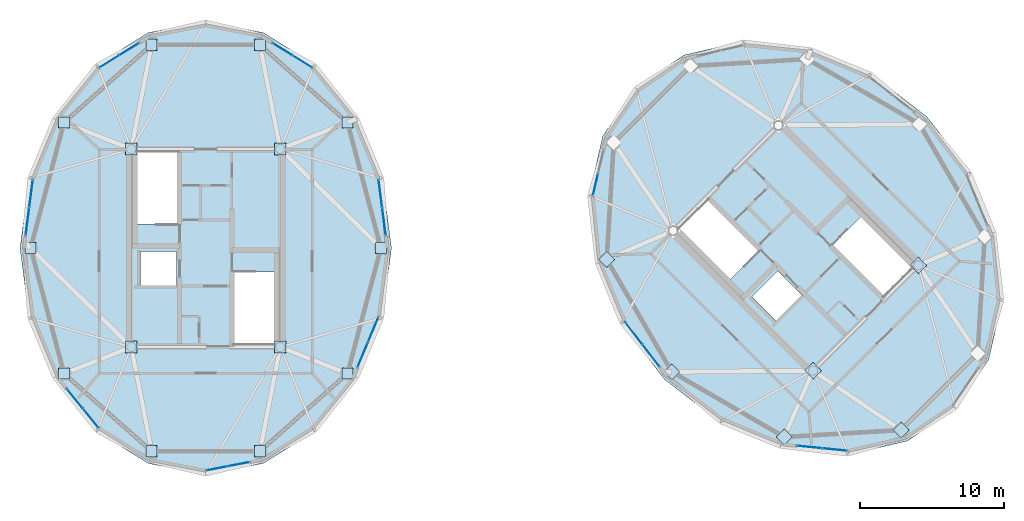
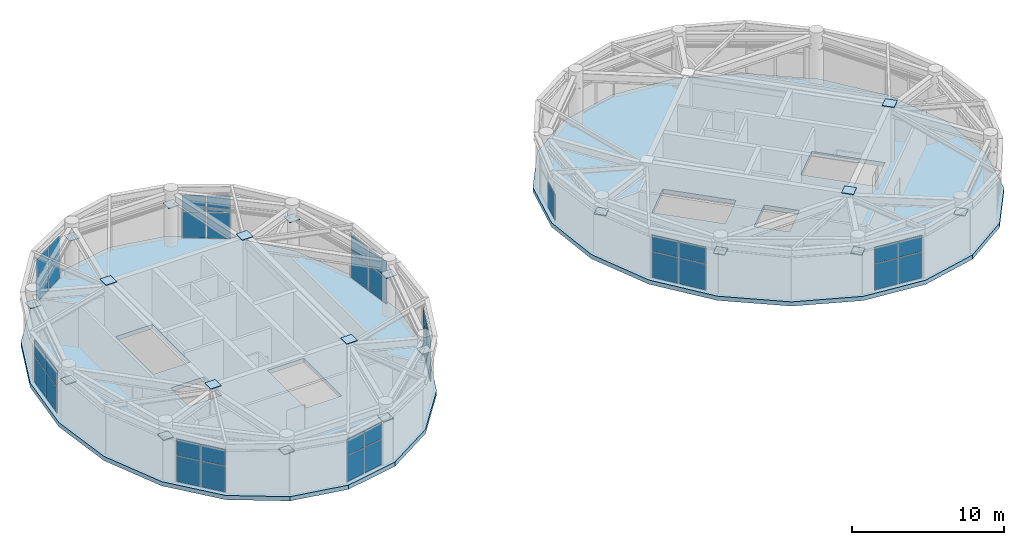
# One storey, part 21 of 26: 57 plates, 2 slabs, 10 elements without a shape of their own.
"""IFC4 building model written with IfcOpenShell, lengths in metres."""

from ifc_helpers import new_model, si_unit, direction, frame, origin, origin_2d, place, context, subcontext, project, spatial, polyline, rectangle, outline, extrude, source, transform, mapped, material, layer, layer_set, type_object, element, aggregate, save


model = new_model("IFC4")

# Units and contexts
model_context = context("Model", 3, precision=1e-05, world=origin(), true_north=direction((0.0, 1.0)))
body_context = subcontext(model_context, "Body", "Model", "MODEL_VIEW")
ifc_project = project(units=[si_unit("LENGTHUNIT", "METRE"), si_unit("AREAUNIT", "SQUARE_METRE"), si_unit("VOLUMEUNIT", "CUBIC_METRE"), si_unit("PLANEANGLEUNIT", "RADIAN"), si_unit("MASSUNIT", "GRAM", prefix="KILO")], contexts=[model_context])

# Site, building, storey
site_placement = place(None, origin())
site = spatial("IfcSite", under=ifc_project, at=site_placement, CompositionType="ELEMENT")
building_placement = place(site_placement, origin())
building = spatial("IfcBuilding", under=site, at=building_placement, Name="Cununo Teusaquillo Station Towers", CompositionType="ELEMENT")
storey_placement = place(building_placement, frame((0.0, 0.0, 240.330078125)))
storey = spatial("IfcBuildingStorey", under=building, at=storey_placement, Name="L76", CompositionType="ELEMENT", Elevation=240.330078125)

# Slabs
ifc_material_1 = material(Name="Concrete C50/60", Category="concrete")
ifc_layer_1 = layer(ifc_material_1, 0.340087890625)
ifc_layer_set_1 = layer_set([ifc_layer_1], Name="Concrete C50/60")
slab_type = type_object("IfcSlabType", Name="SLB-B01-340", PredefinedType="FLOOR", material=ifc_layer_set_1)
slab_1_placement = place(storey_placement, frame((0.0, 0.0, -0.340087890625)))
element("IfcSlab", 1, at=slab_1_placement, inside=storey, type_object=slab_type, Name="L76 Tower A Floor Slab", PredefinedType="FLOOR", context=body_context, shape_type="SweptSolid", body=[
    extrude(outline(polyline([(29.409912109375, 24.5), (28.778076171875, 29.366943359375), (26.9443359375, 33.757568359375), (24.08837890625, 37.241943359375), (20.489501953125, 39.47900390625), (16.5, 40.25), (12.510498046875, 39.47900390625), (8.91162109375, 37.241943359375), (6.0556640625, 33.757568359375), (4.221923828125, 29.366943359375), (3.590087890625, 24.5), (4.221923828125, 19.633056640625), (6.0556640625, 15.242431640625), (8.91162109375, 11.758056640625), (12.510498046875, 9.52099609375), (16.5, 8.75), (20.489501953125, 9.52099609375), (24.08837890625, 11.758056640625), (26.9443359375, 15.242431640625), (28.778076171875, 19.633056640625), (29.409912109375, 24.5)]), holes=[polyline([(14.52001953125, 26.176025390625), (14.52001953125, 31.159912109375), (11.760009765625, 31.159912109375), (11.760009765625, 26.176025390625), (14.52001953125, 26.176025390625)]), polyline([(18.47998046875, 22.823974609375), (18.47998046875, 17.840087890625), (21.239990234375, 17.840087890625), (21.239990234375, 22.823974609375), (18.47998046875, 22.823974609375)]), polyline([(11.949951171875, 21.85009765625), (14.47998046875, 21.85009765625), (14.47998046875, 24.25), (11.949951171875, 24.25), (11.949951171875, 21.85009765625)])]), origin(), (0.0, 0.0, 1.0), 0.340087890625),
])
slab_2_placement = place(storey_placement, frame((0.0, 0.0, -0.340087890625)))
element("IfcSlab", 2, at=slab_2_placement, inside=storey, type_object=slab_type, Name="L76 Tower B Floor Slab", PredefinedType="FLOOR", context=body_context, shape_type="SweptSolid", body=[
    extrude(outline(polyline([(66.628662109375, 33.628662109375), (62.740478515625, 36.623291015625), (58.339111328125, 38.431396484375), (53.855712890625, 38.875732421875), (49.72900390625, 37.912841796875), (46.363037109375, 35.636962890625), (44.087158203125, 32.27099609375), (43.124267578125, 28.144287109375), (43.568603515625, 23.660888671875), (45.376708984375, 19.259521484375), (48.371337890625, 15.371337890625), (52.259521484375, 12.376708984375), (56.660888671875, 10.568603515625), (61.144287109375, 10.124267578125), (65.27099609375, 11.087158203125), (68.636962890625, 13.363037109375), (70.912841796875, 16.72900390625), (71.875732421875, 20.855712890625), (71.431396484375, 25.339111328125), (69.623291015625, 29.740478515625), (66.628662109375, 33.628662109375)]), holes=[polyline([(54.914794921875, 24.28515625), (51.390625, 27.809326171875), (49.43896484375, 25.857666015625), (52.963134765625, 22.33349609375), (54.914794921875, 24.28515625)]), polyline([(60.085205078125, 24.71484375), (63.609375, 21.190673828125), (65.56103515625, 23.142333984375), (62.036865234375, 26.66650390625), (60.085205078125, 24.71484375)]), polyline([(56.156494140625, 19.40869140625), (57.945556640625, 21.19775390625), (56.248291015625, 22.89501953125), (54.45947265625, 21.10595703125), (56.156494140625, 19.40869140625)])]), origin(), (0.0, 0.0, 1.0), 0.340087890625),
])

# Plates
ifc_material_2 = material(Name="Steel ASTM A572 Grade 50", Category="steel")
ifc_layer_2 = layer(ifc_material_2, 0.0400390625)
ifc_layer_set_2 = layer_set([ifc_layer_2], Name="Steel ASTM A572 Grade 50")
plate_type_1 = type_object("IfcPlateType", Name="PLT-NODE-CRN1", PredefinedType="USERDEFINED", material=ifc_layer_set_2)
shared_shape_1 = source(origin(), body_context, "Body", "SweptSolid", [
    extrude(rectangle(XDim=0.820068359375, YDim=0.820068359375, at=origin_2d()), origin(), (0.0, 0.0, 1.0), 0.0400390625),
])
for number, where, z_axis, x_axis, name in (
    (3, (11.324951171875, 17.6201171875, 4.5), (0.0, 0.0, 1.0), (1.0, 0.0, 0.0), "L76 Tower A Core Column Sealed Cap Plate 1"),
    (4, (11.324951171875, 31.3798828125, 4.5), (0.0, 0.0, 1.0), (1.0, 0.0, 0.0), "L76 Tower A Core Column Sealed Cap Plate 2"),
    (5, (21.675048828125, 17.6201171875, 4.5), (0.0, 0.0, 1.0), (1.0, 0.0, 0.0), "L76 Tower A Core Column Sealed Cap Plate 3"),
    (6, (21.675048828125, 31.3798828125, 4.5), (0.0, 0.0, 1.0), (1.0, 0.0, 0.0), "L76 Tower A Core Column Sealed Cap Plate 4"),
    (7, (58.70556640625, 15.975830078125, 4.5), (0.0, 0.0, 1.0), (0.707106781187, 0.707106781187, 0.0), "L76 Tower B Core Column Sealed Cap Plate 1"),
    (8, (66.024169921875, 23.29443359375, 4.5), (0.0, 0.0, 1.0), (0.707106781187, 0.707106781187, 0.0), "L76 Tower B Core Column Sealed Cap Plate 3"),
):
    element("IfcPlate", number, at=place(storey_placement, frame(where, z_axis=z_axis, x_axis=x_axis)), inside=storey, type_object=plate_type_1, Name=name, ObjectType="GUSSET PLATE", PredefinedType="USERDEFINED", context=body_context, shape_type="MappedRepresentation", body=[
        mapped(shared_shape_1, transform((0.0, 0.0, 0.0), x_axis=(1.0, 0.0, 0.0), y_axis=(0.0, 1.0, 0.0), z_axis=(0.0, 0.0, 1.0), scale=1.0)),
    ])
shared_shape_2 = source(origin(), body_context, "Body", "SweptSolid", [
    extrude(rectangle(XDim=0.780029296875, YDim=0.780029296875, at=origin_2d()), origin(), (0.0, 0.0, 1.0), 0.0400390625),
])
for number, where, z_axis, x_axis, name in (
    (9, (28.672119140625, 24.5, 3.1298828125), (0.0, 0.0, 1.0), (1.0, 0.0, 0.0), "L76 Tower A Crown Drum Node CRN1 01"),
    (10, (26.347412109375, 33.228515625, 3.1298828125), (0.0, 0.0, 1.0), (1.0, 0.0, 0.0), "L76 Tower A Crown Drum Node CRN1 02"),
    (11, (20.261474609375, 38.623291015625, 3.1298828125), (0.0, 0.0, 1.0), (1.0, 0.0, 0.0), "L76 Tower A Crown Drum Node CRN1 03"),
    (12, (12.738525390625, 38.623291015625, 3.1298828125), (0.0, 0.0, 1.0), (1.0, 0.0, 0.0), "L76 Tower A Crown Drum Node CRN1 04"),
    (13, (6.652587890625, 33.228515625, 3.1298828125), (0.0, 0.0, 1.0), (1.0, 0.0, 0.0), "L76 Tower A Crown Drum Node CRN1 05"),
    (14, (4.327880859375, 24.5, 3.1298828125), (0.0, 0.0, 1.0), (1.0, 0.0, 0.0), "L76 Tower A Crown Drum Node CRN1 06"),
    (15, (6.652587890625, 15.771484375, 3.1298828125), (0.0, 0.0, 1.0), (1.0, 0.0, 0.0), "L76 Tower A Crown Drum Node CRN1 07"),
    (16, (12.738525390625, 10.376708984375, 3.1298828125), (0.0, 0.0, 1.0), (1.0, 0.0, 0.0), "L76 Tower A Crown Drum Node CRN1 08"),
    (17, (20.261474609375, 10.376708984375, 3.1298828125), (0.0, 0.0, 1.0), (1.0, 0.0, 0.0), "L76 Tower A Crown Drum Node CRN1 09"),
    (18, (26.347412109375, 15.771484375, 3.1298828125), (0.0, 0.0, 1.0), (1.0, 0.0, 0.0), "L76 Tower A Crown Drum Node CRN1 10"),
    (19, (44.36474609375, 23.708984375, 3.1298828125), (0.0, 0.0, 1.0), (0.707106781187, 0.707106781187, 0.0), "L76 Tower B Crown Drum Node CRN1 05"),
    (20, (48.89306640625, 15.89306640625, 3.1298828125), (0.0, 0.0, 1.0), (0.707106781187, 0.707106781187, 0.0), "L76 Tower B Crown Drum Node CRN1 06"),
    (21, (56.708984375, 11.36474609375, 3.1298828125), (0.0, 0.0, 1.0), (0.707106781187, 0.707106781187, 0.0), "L76 Tower B Crown Drum Node CRN1 07"),
    (22, (64.826904296875, 11.853759765625, 3.1298828125), (0.0, 0.0, 1.0), (0.707106781187, 0.707106781187, 0.0), "L76 Tower B Crown Drum Node CRN1 08"),
):
    element("IfcPlate", number, at=place(storey_placement, frame(where, z_axis=z_axis, x_axis=x_axis)), inside=storey, type_object=plate_type_1, Name=name, ObjectType="GUSSET PLATE", PredefinedType="USERDEFINED", context=body_context, shape_type="MappedRepresentation", body=[
        mapped(shared_shape_2, transform((0.0, 0.0, 0.0), x_axis=(1.0, 0.0, 0.0), y_axis=(0.0, 1.0, 0.0), z_axis=(0.0, 0.0, 1.0), scale=1.0)),
    ])

# Curtain wall, plates
ifc_material_3 = material(Name="Ceramic-fritted dark low-E double glazing", Category="glass")
ifc_layer_3 = layer(ifc_material_3, 0.179931640625)
ifc_layer_set_3 = layer_set([ifc_layer_3], Name="Ceramic-fritted dark low-E double glazing")
curtain_wall_type = type_object("IfcCurtainWallType", Name="CW-SYS-08", PredefinedType="USERDEFINED", material=ifc_layer_set_3)
curtain_wall_1_placement = place(storey_placement, origin())
curtain_wall_1 = element("IfcCurtainWall", 23, at=curtain_wall_1_placement, inside=storey, type_object=curtain_wall_type, Name="L76 Tower A Crown Drum Glazed Screen C00", ObjectType="FRITTED GLAZING", PredefinedType="USERDEFINED")
ifc_material_4 = material(Name="Ceramic-fritted dark low-E double glazing", Category="glass")
ifc_layer_4 = layer(ifc_material_4, 0.030029296875)
ifc_layer_set_4 = layer_set([ifc_layer_4], Name="Ceramic-fritted dark low-E double glazing")
plate_type_2 = type_object("IfcPlateType", Name="CWP-DRUM-30", PredefinedType="CURTAIN_PANEL", material=ifc_layer_set_4)
shared_shape_3 = source(origin(), body_context, "Body", "SweptSolid", [
    extrude(rectangle(XDim=1.8876953125, YDim=0.030029296875, at=origin_2d()), origin(), (0.0, 0.0, 1.0), 2.052490234375),
])
plate_1_placement = place(storey_placement, frame((28.64111328125, 28.280029296875, 0.06494140625), z_axis=(0.0, 0.0, 1.0), x_axis=(0.12825264413, -0.991741528461, 0.0)))
plate_1 = element("IfcPlate", 24, at=plate_1_placement, type_object=plate_type_2, Name="CW-08 panel 1.1", PredefinedType="CURTAIN_PANEL", context=body_context, shape_type="MappedRepresentation", body=[
    mapped(shared_shape_3, transform((0.0, 0.0, 0.0), x_axis=(1.0, 0.0, 0.0), y_axis=(0.0, 1.0, 0.0), z_axis=(0.0, 0.0, 1.0), scale=1.0)),
])
plate_2_placement = place(storey_placement, frame((28.8916015625, 26.343505859375, 0.06494140625), z_axis=(0.0, 0.0, 1.0), x_axis=(0.12825264413, -0.991741528461, 0.0)))
plate_2 = element("IfcPlate", 25, at=plate_2_placement, type_object=plate_type_2, Name="CW-08 panel 2.1", PredefinedType="CURTAIN_PANEL", context=body_context, shape_type="MappedRepresentation", body=[
    mapped(shared_shape_3, transform((0.0, 0.0, 0.0), x_axis=(1.0, 0.0, 0.0), y_axis=(0.0, 1.0, 0.0), z_axis=(0.0, 0.0, 1.0), scale=1.0)),
])

curtain_wall_2_placement = place(storey_placement, origin())
curtain_wall_2 = element("IfcCurtainWall", 26, at=curtain_wall_2_placement, inside=storey, type_object=curtain_wall_type, Name="L76 Tower A Crown Drum Glazed Screen C09", ObjectType="FRITTED GLAZING", PredefinedType="USERDEFINED")
plate_3_placement = place(storey_placement, frame((4.1083984375, 26.343505859375, 0.06494140625), z_axis=(0.0, 0.0, 1.0), x_axis=(0.12825264413, 0.991741528461, 0.0)))
plate_3 = element("IfcPlate", 27, at=plate_3_placement, type_object=plate_type_2, Name="CW-08 panel 1.1", PredefinedType="CURTAIN_PANEL", context=body_context, shape_type="MappedRepresentation", body=[
    mapped(shared_shape_3, transform((0.0, 0.0, 0.0), x_axis=(1.0, 0.0, 0.0), y_axis=(0.0, 1.0, 0.0), z_axis=(0.0, 0.0, 1.0), scale=1.0)),
])
plate_4_placement = place(storey_placement, frame((4.35888671875, 28.280029296875, 0.06494140625), z_axis=(0.0, 0.0, 1.0), x_axis=(0.12825264413, 0.991741528461, 0.0)))
plate_4 = element("IfcPlate", 28, at=plate_4_placement, type_object=plate_type_2, Name="CW-08 panel 2.1", PredefinedType="CURTAIN_PANEL", context=body_context, shape_type="MappedRepresentation", body=[
    mapped(shared_shape_3, transform((0.0, 0.0, 0.0), x_axis=(1.0, 0.0, 0.0), y_axis=(0.0, 1.0, 0.0), z_axis=(0.0, 0.0, 1.0), scale=1.0)),
])

curtain_wall_3_placement = place(storey_placement, origin())
curtain_wall_3 = element("IfcCurtainWall", 29, at=curtain_wall_3_placement, inside=storey, type_object=curtain_wall_type, Name="L76 Tower B Crown Drum Glazed Screen C09", ObjectType="FRITTED GLAZING", PredefinedType="USERDEFINED")
plate_5_placement = place(storey_placement, frame((47.434326171875, 17.041259765625, 0.06494140625), z_axis=(0.0, 0.0, 1.0), x_axis=(-0.610566119397, 0.791965285757, 0.0)))
plate_5 = element("IfcPlate", 30, at=plate_5_placement, type_object=plate_type_2, Name="CW-08 panel 1.1", PredefinedType="CURTAIN_PANEL", context=body_context, shape_type="MappedRepresentation", body=[
    mapped(shared_shape_3, transform((0.0, 0.0, 0.0), x_axis=(1.0, 0.0, 0.0), y_axis=(0.0, 1.0, 0.0), z_axis=(0.0, 0.0, 1.0), scale=1.0)),
])
plate_6_placement = place(storey_placement, frame((46.241943359375, 18.587646484375, 0.06494140625), z_axis=(0.0, 0.0, 1.0), x_axis=(-0.610566119397, 0.791965285757, 0.0)))
plate_6 = element("IfcPlate", 31, at=plate_6_placement, type_object=plate_type_2, Name="CW-08 panel 2.1", PredefinedType="CURTAIN_PANEL", context=body_context, shape_type="MappedRepresentation", body=[
    mapped(shared_shape_3, transform((0.0, 0.0, 0.0), x_axis=(1.0, 0.0, 0.0), y_axis=(0.0, 1.0, 0.0), z_axis=(0.0, 0.0, 1.0), scale=1.0)),
])

curtain_wall_4_placement = place(storey_placement, origin())
curtain_wall_4 = element("IfcCurtainWall", 32, at=curtain_wall_4_placement, inside=storey, type_object=curtain_wall_type, Name="L76 Tower A Crown Drum Glazed Screen C03", ObjectType="FRITTED GLAZING", PredefinedType="USERDEFINED")
shared_shape_4 = source(origin(), body_context, "Body", "SweptSolid", [
    extrude(rectangle(XDim=1.552490234375, YDim=0.030029296875, at=origin_2d()), origin(), (0.0, 0.0, 1.0), 2.052490234375),
])
plate_7_placement = place(storey_placement, frame((21.837646484375, 38.3173828125, 0.06494140625), z_axis=(0.0, 0.0, 1.0), x_axis=(0.848340291551, -0.529451366729, 0.0)))
plate_7 = element("IfcPlate", 33, at=plate_7_placement, type_object=plate_type_2, Name="CW-08 panel 1.1", PredefinedType="CURTAIN_PANEL", context=body_context, shape_type="MappedRepresentation", body=[
    mapped(shared_shape_4, transform((0.0, 0.0, 0.0), x_axis=(1.0, 0.0, 0.0), y_axis=(0.0, 1.0, 0.0), z_axis=(0.0, 0.0, 1.0), scale=1.0)),
])
plate_8_placement = place(storey_placement, frame((23.2099609375, 37.4609375, 0.06494140625), z_axis=(0.0, 0.0, 1.0), x_axis=(0.848340291551, -0.529451366729, 0.0)))
plate_8 = element("IfcPlate", 34, at=plate_8_placement, type_object=plate_type_2, Name="CW-08 panel 2.1", PredefinedType="CURTAIN_PANEL", context=body_context, shape_type="MappedRepresentation", body=[
    mapped(shared_shape_4, transform((0.0, 0.0, 0.0), x_axis=(1.0, 0.0, 0.0), y_axis=(0.0, 1.0, 0.0), z_axis=(0.0, 0.0, 1.0), scale=1.0)),
])

curtain_wall_5_placement = place(storey_placement, origin())
curtain_wall_5 = element("IfcCurtainWall", 35, at=curtain_wall_5_placement, inside=storey, type_object=curtain_wall_type, Name="L76 Tower A Crown Drum Glazed Screen C06", ObjectType="FRITTED GLAZING", PredefinedType="USERDEFINED")
plate_9_placement = place(storey_placement, frame((9.7900390625, 37.4609375, 0.06494140625), z_axis=(0.0, 0.0, 1.0), x_axis=(0.848340291551, 0.529451366729, 0.0)))
plate_9 = element("IfcPlate", 36, at=plate_9_placement, type_object=plate_type_2, Name="CW-08 panel 1.1", PredefinedType="CURTAIN_PANEL", context=body_context, shape_type="MappedRepresentation", body=[
    mapped(shared_shape_4, transform((0.0, 0.0, 0.0), x_axis=(1.0, 0.0, 0.0), y_axis=(0.0, 1.0, 0.0), z_axis=(0.0, 0.0, 1.0), scale=1.0)),
])
plate_10_placement = place(storey_placement, frame((11.162353515625, 38.3173828125, 0.06494140625), z_axis=(0.0, 0.0, 1.0), x_axis=(0.848340291551, 0.529451366729, 0.0)))
plate_10 = element("IfcPlate", 37, at=plate_10_placement, type_object=plate_type_2, Name="CW-08 panel 2.1", PredefinedType="CURTAIN_PANEL", context=body_context, shape_type="MappedRepresentation", body=[
    mapped(shared_shape_4, transform((0.0, 0.0, 0.0), x_axis=(1.0, 0.0, 0.0), y_axis=(0.0, 1.0, 0.0), z_axis=(0.0, 0.0, 1.0), scale=1.0)),
])

curtain_wall_6_placement = place(storey_placement, origin())
curtain_wall_6 = element("IfcCurtainWall", 38, at=curtain_wall_6_placement, inside=storey, type_object=curtain_wall_type, Name="L76 Tower A Crown Drum Glazed Screen C12", ObjectType="FRITTED GLAZING", PredefinedType="USERDEFINED")
shared_shape_5 = source(origin(), body_context, "Body", "SweptSolid", [
    extrude(rectangle(XDim=1.6865234375, YDim=0.030029296875, at=origin_2d()), origin(), (0.0, 0.0, 1.0), 2.052490234375),
])
plate_11_placement = place(storey_placement, frame((8.501953125, 12.688232421875, 0.06494140625), z_axis=(0.0, 0.0, 1.0), x_axis=(-0.632408751913, 0.774634862696, 0.0)))
plate_11 = element("IfcPlate", 39, at=plate_11_placement, type_object=plate_type_2, Name="CW-08 panel 1.1", PredefinedType="CURTAIN_PANEL", context=body_context, shape_type="MappedRepresentation", body=[
    mapped(shared_shape_5, transform((0.0, 0.0, 0.0), x_axis=(1.0, 0.0, 0.0), y_axis=(0.0, 1.0, 0.0), z_axis=(0.0, 0.0, 1.0), scale=1.0)),
])
plate_12_placement = place(storey_placement, frame((7.39404296875, 14.044921875, 0.06494140625), z_axis=(0.0, 0.0, 1.0), x_axis=(-0.632408751913, 0.774634862696, 0.0)))
plate_12 = element("IfcPlate", 40, at=plate_12_placement, type_object=plate_type_2, Name="CW-08 panel 2.1", PredefinedType="CURTAIN_PANEL", context=body_context, shape_type="MappedRepresentation", body=[
    mapped(shared_shape_5, transform((0.0, 0.0, 0.0), x_axis=(1.0, 0.0, 0.0), y_axis=(0.0, 1.0, 0.0), z_axis=(0.0, 0.0, 1.0), scale=1.0)),
])

curtain_wall_7_placement = place(storey_placement, origin())
curtain_wall_7 = element("IfcCurtainWall", 41, at=curtain_wall_7_placement, inside=storey, type_object=curtain_wall_type, Name="L76 Tower B Crown Drum Glazed Screen C12", ObjectType="FRITTED GLAZING", PredefinedType="USERDEFINED")
plate_13_placement = place(storey_placement, frame((60.19677734375, 10.4921875, 0.06494140625), z_axis=(0.0, 0.0, 1.0), x_axis=(-0.994934273111, 0.1005275693, 0.0)))
plate_13 = element("IfcPlate", 42, at=plate_13_placement, type_object=plate_type_2, Name="CW-08 panel 1.1", PredefinedType="CURTAIN_PANEL", context=body_context, shape_type="MappedRepresentation", body=[
    mapped(shared_shape_5, transform((0.0, 0.0, 0.0), x_axis=(1.0, 0.0, 0.0), y_axis=(0.0, 1.0, 0.0), z_axis=(0.0, 0.0, 1.0), scale=1.0)),
])
plate_14_placement = place(storey_placement, frame((58.4541015625, 10.668212890625, 0.06494140625), z_axis=(0.0, 0.0, 1.0), x_axis=(-0.994934273111, 0.1005275693, 0.0)))
plate_14 = element("IfcPlate", 43, at=plate_14_placement, type_object=plate_type_2, Name="CW-08 panel 2.1", PredefinedType="CURTAIN_PANEL", context=body_context, shape_type="MappedRepresentation", body=[
    mapped(shared_shape_5, transform((0.0, 0.0, 0.0), x_axis=(1.0, 0.0, 0.0), y_axis=(0.0, 1.0, 0.0), z_axis=(0.0, 0.0, 1.0), scale=1.0)),
])

curtain_wall_8_placement = place(storey_placement, origin())
curtain_wall_8 = element("IfcCurtainWall", 44, at=curtain_wall_8_placement, inside=storey, type_object=curtain_wall_type, Name="L76 Tower A Crown Drum Glazed Screen C15", ObjectType="FRITTED GLAZING", PredefinedType="USERDEFINED")
shared_shape_6 = source(origin(), body_context, "Body", "SweptSolid", [
    extrude(rectangle(XDim=1.46533203125, YDim=0.030029296875, at=origin_2d()), origin(), (0.0, 0.0, 1.0), 2.052490234375),
])
plate_15_placement = place(storey_placement, frame((18.785400390625, 9.473388671875, 0.06494140625), z_axis=(0.0, 0.0, 1.0), x_axis=(-0.981696388936, -0.190452618648, 0.0)))
plate_15 = element("IfcPlate", 45, at=plate_15_placement, type_object=plate_type_2, Name="CW-08 panel 1.1", PredefinedType="CURTAIN_PANEL", context=body_context, shape_type="MappedRepresentation", body=[
    mapped(shared_shape_6, transform((0.0, 0.0, 0.0), x_axis=(1.0, 0.0, 0.0), y_axis=(0.0, 1.0, 0.0), z_axis=(0.0, 0.0, 1.0), scale=1.0)),
])
plate_16_placement = place(storey_placement, frame((17.282958984375, 9.181884765625, 0.06494140625), z_axis=(0.0, 0.0, 1.0), x_axis=(-0.981696388936, -0.190452618648, 0.0)))
plate_16 = element("IfcPlate", 46, at=plate_16_placement, type_object=plate_type_2, Name="CW-08 panel 2.1", PredefinedType="CURTAIN_PANEL", context=body_context, shape_type="MappedRepresentation", body=[
    mapped(shared_shape_6, transform((0.0, 0.0, 0.0), x_axis=(1.0, 0.0, 0.0), y_axis=(0.0, 1.0, 0.0), z_axis=(0.0, 0.0, 1.0), scale=1.0)),
])

curtain_wall_9_placement = place(storey_placement, origin())
curtain_wall_9 = element("IfcCurtainWall", 47, at=curtain_wall_9_placement, inside=storey, type_object=curtain_wall_type, Name="L76 Tower A Crown Drum Glazed Screen C18", ObjectType="FRITTED GLAZING", PredefinedType="USERDEFINED")
shared_shape_7 = source(origin(), body_context, "Body", "SweptSolid", [
    extrude(rectangle(XDim=1.812744140625, YDim=0.030029296875, at=origin_2d()), origin(), (0.0, 0.0, 1.0), 2.052490234375),
])
plate_17_placement = place(storey_placement, frame((28.138671875, 18.822509765625, 0.06494140625), z_axis=(0.0, 0.0, 1.0), x_axis=(-0.384063358729, -0.923306740191, 0.0)))
plate_17 = element("IfcPlate", 48, at=plate_17_placement, type_object=plate_type_2, Name="CW-08 panel 1.1", PredefinedType="CURTAIN_PANEL", context=body_context, shape_type="MappedRepresentation", body=[
    mapped(shared_shape_7, transform((0.0, 0.0, 0.0), x_axis=(1.0, 0.0, 0.0), y_axis=(0.0, 1.0, 0.0), z_axis=(0.0, 0.0, 1.0), scale=1.0)),
])
plate_18_placement = place(storey_placement, frame((27.41748046875, 17.088623046875, 0.06494140625), z_axis=(0.0, 0.0, 1.0), x_axis=(-0.384063358729, -0.923306740191, 0.0)))
plate_18 = element("IfcPlate", 49, at=plate_18_placement, type_object=plate_type_2, Name="CW-08 panel 2.1", PredefinedType="CURTAIN_PANEL", context=body_context, shape_type="MappedRepresentation", body=[
    mapped(shared_shape_7, transform((0.0, 0.0, 0.0), x_axis=(1.0, 0.0, 0.0), y_axis=(0.0, 1.0, 0.0), z_axis=(0.0, 0.0, 1.0), scale=1.0)),
])

# Curtain wall, plate
curtain_wall_10_placement = place(storey_placement, origin())
curtain_wall_10 = element("IfcCurtainWall", 50, at=curtain_wall_10_placement, inside=storey, type_object=curtain_wall_type, Name="L76 Tower B Crown Drum Glazed Screen C06", ObjectType="FRITTED GLAZING", PredefinedType="USERDEFINED")
shared_shape_8 = source(origin(), body_context, "Body", "SweptSolid", [
    extrude(rectangle(XDim=1.552734375, YDim=0.030029296875, at=origin_2d()), origin(), (0.0, 0.0, 1.0), 2.052490234375),
])
plate_19_placement = place(storey_placement, frame((43.590576171875, 28.920166015625, 0.06494140625), z_axis=(0.0, 0.0, 1.0), x_axis=(0.225465813065, 0.974251080132, 0.0)))
plate_19 = element("IfcPlate", 51, at=plate_19_placement, type_object=plate_type_2, Name="CW-08 panel 1.1", PredefinedType="CURTAIN_PANEL", context=body_context, shape_type="MappedRepresentation", body=[
    mapped(shared_shape_8, transform((0.0, 0.0, 0.0), x_axis=(1.0, 0.0, 0.0), y_axis=(0.0, 1.0, 0.0), z_axis=(0.0, 0.0, 1.0), scale=1.0)),
])
aggregate(curtain_wall_10, [plate_19])

# Plate
shared_shape_9 = source(origin(), body_context, "Body", "SweptSolid", [
    extrude(rectangle(XDim=1.8876953125, YDim=0.030029296875, at=origin_2d()), origin(), (0.0, 0.0, 1.0), 1.30859375),
])
plate_20_placement = place(storey_placement, frame((28.64111328125, 28.280029296875, 2.182373046875), z_axis=(0.0, 0.0, 1.0), x_axis=(0.12825264413, -0.991741528461, 0.0)))
plate_20 = element("IfcPlate", 52, at=plate_20_placement, type_object=plate_type_2, Name="CW-08 panel 1.2", PredefinedType="CURTAIN_PANEL", context=body_context, shape_type="MappedRepresentation", body=[
    mapped(shared_shape_9, transform((0.0, 0.0, 0.0), x_axis=(1.0, 0.0, 0.0), y_axis=(0.0, 1.0, 0.0), z_axis=(0.0, 0.0, 1.0), scale=1.0)),
])

plate_21_placement = place(storey_placement, frame((28.8916015625, 26.343505859375, 2.182373046875), z_axis=(0.0, 0.0, 1.0), x_axis=(0.12825264413, -0.991741528461, 0.0)))
plate_21 = element("IfcPlate", 53, at=plate_21_placement, type_object=plate_type_2, Name="CW-08 panel 2.2", PredefinedType="CURTAIN_PANEL", context=body_context, shape_type="MappedRepresentation", body=[
    mapped(shared_shape_9, transform((0.0, 0.0, 0.0), x_axis=(1.0, 0.0, 0.0), y_axis=(0.0, 1.0, 0.0), z_axis=(0.0, 0.0, 1.0), scale=1.0)),
])

aggregate(curtain_wall_1, [plate_1, plate_20, plate_2, plate_21])

plate_22_placement = place(storey_placement, frame((4.1083984375, 26.343505859375, 2.182373046875), z_axis=(0.0, 0.0, 1.0), x_axis=(0.12825264413, 0.991741528461, 0.0)))
plate_22 = element("IfcPlate", 54, at=plate_22_placement, type_object=plate_type_2, Name="CW-08 panel 1.2", PredefinedType="CURTAIN_PANEL", context=body_context, shape_type="MappedRepresentation", body=[
    mapped(shared_shape_9, transform((0.0, 0.0, 0.0), x_axis=(1.0, 0.0, 0.0), y_axis=(0.0, 1.0, 0.0), z_axis=(0.0, 0.0, 1.0), scale=1.0)),
])

plate_23_placement = place(storey_placement, frame((4.35888671875, 28.280029296875, 2.182373046875), z_axis=(0.0, 0.0, 1.0), x_axis=(0.12825264413, 0.991741528461, 0.0)))
plate_23 = element("IfcPlate", 55, at=plate_23_placement, type_object=plate_type_2, Name="CW-08 panel 2.2", PredefinedType="CURTAIN_PANEL", context=body_context, shape_type="MappedRepresentation", body=[
    mapped(shared_shape_9, transform((0.0, 0.0, 0.0), x_axis=(1.0, 0.0, 0.0), y_axis=(0.0, 1.0, 0.0), z_axis=(0.0, 0.0, 1.0), scale=1.0)),
])

aggregate(curtain_wall_2, [plate_3, plate_22, plate_4, plate_23])

plate_24_placement = place(storey_placement, frame((47.434326171875, 17.041259765625, 2.182373046875), z_axis=(0.0, 0.0, 1.0), x_axis=(-0.610566119397, 0.791965285757, 0.0)))
plate_24 = element("IfcPlate", 56, at=plate_24_placement, type_object=plate_type_2, Name="CW-08 panel 1.2", PredefinedType="CURTAIN_PANEL", context=body_context, shape_type="MappedRepresentation", body=[
    mapped(shared_shape_9, transform((0.0, 0.0, 0.0), x_axis=(1.0, 0.0, 0.0), y_axis=(0.0, 1.0, 0.0), z_axis=(0.0, 0.0, 1.0), scale=1.0)),
])

plate_25_placement = place(storey_placement, frame((46.241943359375, 18.587646484375, 2.182373046875), z_axis=(0.0, 0.0, 1.0), x_axis=(-0.610566119397, 0.791965285757, 0.0)))
plate_25 = element("IfcPlate", 57, at=plate_25_placement, type_object=plate_type_2, Name="CW-08 panel 2.2", PredefinedType="CURTAIN_PANEL", context=body_context, shape_type="MappedRepresentation", body=[
    mapped(shared_shape_9, transform((0.0, 0.0, 0.0), x_axis=(1.0, 0.0, 0.0), y_axis=(0.0, 1.0, 0.0), z_axis=(0.0, 0.0, 1.0), scale=1.0)),
])

aggregate(curtain_wall_3, [plate_5, plate_24, plate_6, plate_25])

shared_shape_10 = source(origin(), body_context, "Body", "SweptSolid", [
    extrude(rectangle(XDim=1.552490234375, YDim=0.030029296875, at=origin_2d()), origin(), (0.0, 0.0, 1.0), 1.30859375),
])
plate_26_placement = place(storey_placement, frame((21.837646484375, 38.3173828125, 2.182373046875), z_axis=(0.0, 0.0, 1.0), x_axis=(0.848340291551, -0.529451366729, 0.0)))
plate_26 = element("IfcPlate", 58, at=plate_26_placement, type_object=plate_type_2, Name="CW-08 panel 1.2", PredefinedType="CURTAIN_PANEL", context=body_context, shape_type="MappedRepresentation", body=[
    mapped(shared_shape_10, transform((0.0, 0.0, 0.0), x_axis=(1.0, 0.0, 0.0), y_axis=(0.0, 1.0, 0.0), z_axis=(0.0, 0.0, 1.0), scale=1.0)),
])

plate_27_placement = place(storey_placement, frame((23.2099609375, 37.4609375, 2.182373046875), z_axis=(0.0, 0.0, 1.0), x_axis=(0.848340291551, -0.529451366729, 0.0)))
plate_27 = element("IfcPlate", 59, at=plate_27_placement, type_object=plate_type_2, Name="CW-08 panel 2.2", PredefinedType="CURTAIN_PANEL", context=body_context, shape_type="MappedRepresentation", body=[
    mapped(shared_shape_10, transform((0.0, 0.0, 0.0), x_axis=(1.0, 0.0, 0.0), y_axis=(0.0, 1.0, 0.0), z_axis=(0.0, 0.0, 1.0), scale=1.0)),
])

aggregate(curtain_wall_4, [plate_7, plate_26, plate_8, plate_27])

plate_28_placement = place(storey_placement, frame((9.7900390625, 37.4609375, 2.182373046875), z_axis=(0.0, 0.0, 1.0), x_axis=(0.848340291551, 0.529451366729, 0.0)))
plate_28 = element("IfcPlate", 60, at=plate_28_placement, type_object=plate_type_2, Name="CW-08 panel 1.2", PredefinedType="CURTAIN_PANEL", context=body_context, shape_type="MappedRepresentation", body=[
    mapped(shared_shape_10, transform((0.0, 0.0, 0.0), x_axis=(1.0, 0.0, 0.0), y_axis=(0.0, 1.0, 0.0), z_axis=(0.0, 0.0, 1.0), scale=1.0)),
])

plate_29_placement = place(storey_placement, frame((11.162353515625, 38.3173828125, 2.182373046875), z_axis=(0.0, 0.0, 1.0), x_axis=(0.848340291551, 0.529451366729, 0.0)))
plate_29 = element("IfcPlate", 61, at=plate_29_placement, type_object=plate_type_2, Name="CW-08 panel 2.2", PredefinedType="CURTAIN_PANEL", context=body_context, shape_type="MappedRepresentation", body=[
    mapped(shared_shape_10, transform((0.0, 0.0, 0.0), x_axis=(1.0, 0.0, 0.0), y_axis=(0.0, 1.0, 0.0), z_axis=(0.0, 0.0, 1.0), scale=1.0)),
])

aggregate(curtain_wall_5, [plate_9, plate_28, plate_10, plate_29])

shared_shape_11 = source(origin(), body_context, "Body", "SweptSolid", [
    extrude(rectangle(XDim=1.6865234375, YDim=0.030029296875, at=origin_2d()), origin(), (0.0, 0.0, 1.0), 1.30859375),
])
plate_30_placement = place(storey_placement, frame((8.501953125, 12.688232421875, 2.182373046875), z_axis=(0.0, 0.0, 1.0), x_axis=(-0.632408751913, 0.774634862696, 0.0)))
plate_30 = element("IfcPlate", 62, at=plate_30_placement, type_object=plate_type_2, Name="CW-08 panel 1.2", PredefinedType="CURTAIN_PANEL", context=body_context, shape_type="MappedRepresentation", body=[
    mapped(shared_shape_11, transform((0.0, 0.0, 0.0), x_axis=(1.0, 0.0, 0.0), y_axis=(0.0, 1.0, 0.0), z_axis=(0.0, 0.0, 1.0), scale=1.0)),
])

plate_31_placement = place(storey_placement, frame((7.39404296875, 14.044921875, 2.182373046875), z_axis=(0.0, 0.0, 1.0), x_axis=(-0.632408751913, 0.774634862696, 0.0)))
plate_31 = element("IfcPlate", 63, at=plate_31_placement, type_object=plate_type_2, Name="CW-08 panel 2.2", PredefinedType="CURTAIN_PANEL", context=body_context, shape_type="MappedRepresentation", body=[
    mapped(shared_shape_11, transform((0.0, 0.0, 0.0), x_axis=(1.0, 0.0, 0.0), y_axis=(0.0, 1.0, 0.0), z_axis=(0.0, 0.0, 1.0), scale=1.0)),
])

aggregate(curtain_wall_6, [plate_11, plate_30, plate_12, plate_31])

plate_32_placement = place(storey_placement, frame((60.19677734375, 10.4921875, 2.182373046875), z_axis=(0.0, 0.0, 1.0), x_axis=(-0.994934273111, 0.1005275693, 0.0)))
plate_32 = element("IfcPlate", 64, at=plate_32_placement, type_object=plate_type_2, Name="CW-08 panel 1.2", PredefinedType="CURTAIN_PANEL", context=body_context, shape_type="MappedRepresentation", body=[
    mapped(shared_shape_11, transform((0.0, 0.0, 0.0), x_axis=(1.0, 0.0, 0.0), y_axis=(0.0, 1.0, 0.0), z_axis=(0.0, 0.0, 1.0), scale=1.0)),
])

plate_33_placement = place(storey_placement, frame((58.4541015625, 10.668212890625, 2.182373046875), z_axis=(0.0, 0.0, 1.0), x_axis=(-0.994934273111, 0.1005275693, 0.0)))
plate_33 = element("IfcPlate", 65, at=plate_33_placement, type_object=plate_type_2, Name="CW-08 panel 2.2", PredefinedType="CURTAIN_PANEL", context=body_context, shape_type="MappedRepresentation", body=[
    mapped(shared_shape_11, transform((0.0, 0.0, 0.0), x_axis=(1.0, 0.0, 0.0), y_axis=(0.0, 1.0, 0.0), z_axis=(0.0, 0.0, 1.0), scale=1.0)),
])

aggregate(curtain_wall_7, [plate_13, plate_32, plate_14, plate_33])

shared_shape_12 = source(origin(), body_context, "Body", "SweptSolid", [
    extrude(rectangle(XDim=1.46533203125, YDim=0.030029296875, at=origin_2d()), origin(), (0.0, 0.0, 1.0), 1.30859375),
])
plate_34_placement = place(storey_placement, frame((18.785400390625, 9.473388671875, 2.182373046875), z_axis=(0.0, 0.0, 1.0), x_axis=(-0.981696388936, -0.190452618648, 0.0)))
plate_34 = element("IfcPlate", 66, at=plate_34_placement, type_object=plate_type_2, Name="CW-08 panel 1.2", PredefinedType="CURTAIN_PANEL", context=body_context, shape_type="MappedRepresentation", body=[
    mapped(shared_shape_12, transform((0.0, 0.0, 0.0), x_axis=(1.0, 0.0, 0.0), y_axis=(0.0, 1.0, 0.0), z_axis=(0.0, 0.0, 1.0), scale=1.0)),
])

plate_35_placement = place(storey_placement, frame((17.282958984375, 9.181884765625, 2.182373046875), z_axis=(0.0, 0.0, 1.0), x_axis=(-0.981696388936, -0.190452618648, 0.0)))
plate_35 = element("IfcPlate", 67, at=plate_35_placement, type_object=plate_type_2, Name="CW-08 panel 2.2", PredefinedType="CURTAIN_PANEL", context=body_context, shape_type="MappedRepresentation", body=[
    mapped(shared_shape_12, transform((0.0, 0.0, 0.0), x_axis=(1.0, 0.0, 0.0), y_axis=(0.0, 1.0, 0.0), z_axis=(0.0, 0.0, 1.0), scale=1.0)),
])

aggregate(curtain_wall_8, [plate_15, plate_34, plate_16, plate_35])

shared_shape_13 = source(origin(), body_context, "Body", "SweptSolid", [
    extrude(rectangle(XDim=1.812744140625, YDim=0.030029296875, at=origin_2d()), origin(), (0.0, 0.0, 1.0), 1.30859375),
])
plate_36_placement = place(storey_placement, frame((28.138671875, 18.822509765625, 2.182373046875), z_axis=(0.0, 0.0, 1.0), x_axis=(-0.384063358729, -0.923306740191, 0.0)))
plate_36 = element("IfcPlate", 68, at=plate_36_placement, type_object=plate_type_2, Name="CW-08 panel 1.2", PredefinedType="CURTAIN_PANEL", context=body_context, shape_type="MappedRepresentation", body=[
    mapped(shared_shape_13, transform((0.0, 0.0, 0.0), x_axis=(1.0, 0.0, 0.0), y_axis=(0.0, 1.0, 0.0), z_axis=(0.0, 0.0, 1.0), scale=1.0)),
])

plate_37_placement = place(storey_placement, frame((27.41748046875, 17.088623046875, 2.182373046875), z_axis=(0.0, 0.0, 1.0), x_axis=(-0.384063358729, -0.923306740191, 0.0)))
plate_37 = element("IfcPlate", 69, at=plate_37_placement, type_object=plate_type_2, Name="CW-08 panel 2.2", PredefinedType="CURTAIN_PANEL", context=body_context, shape_type="MappedRepresentation", body=[
    mapped(shared_shape_13, transform((0.0, 0.0, 0.0), x_axis=(1.0, 0.0, 0.0), y_axis=(0.0, 1.0, 0.0), z_axis=(0.0, 0.0, 1.0), scale=1.0)),
])

aggregate(curtain_wall_9, [plate_17, plate_36, plate_18, plate_37])

save(model, "model.ifc")
